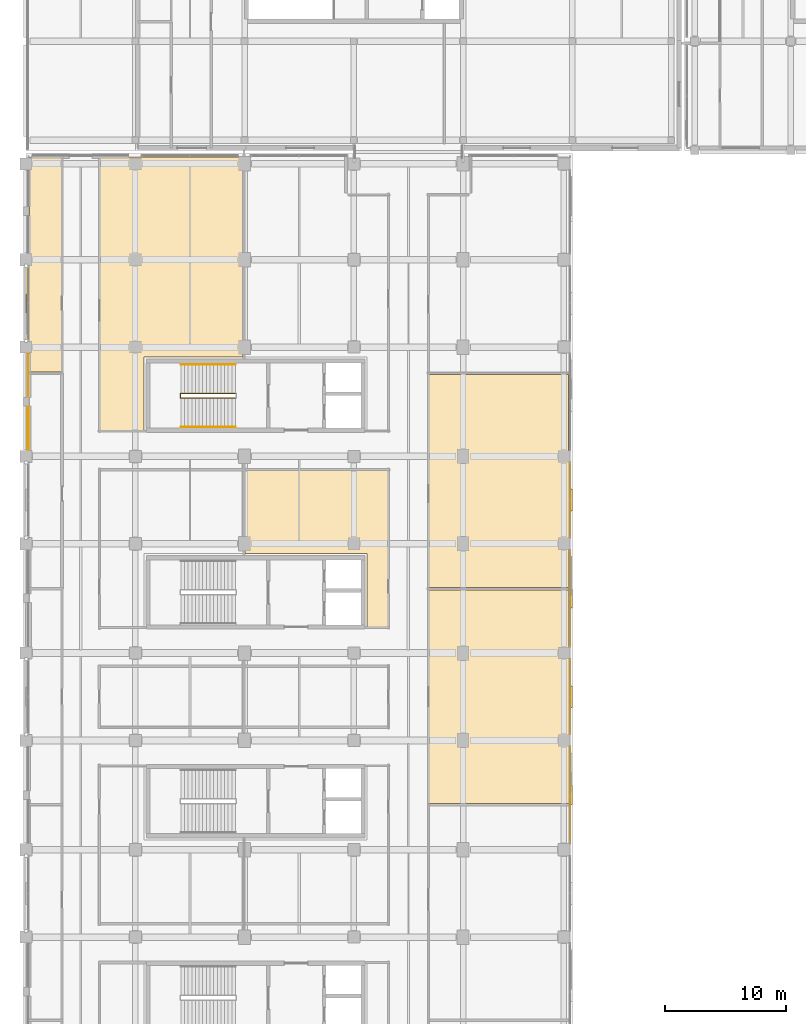
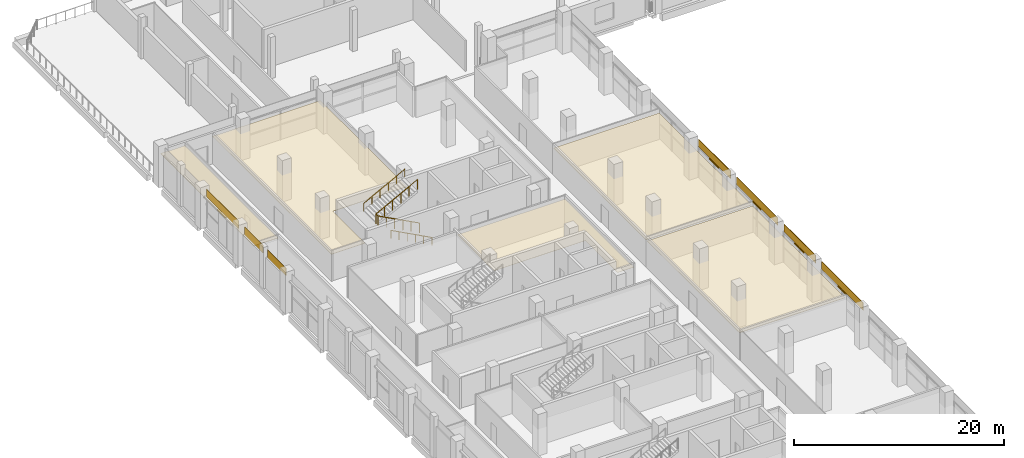
# One storey, part 96 of 111: 12 coverings, 5 shading devices, 3 railings.
"""IFC4 building model written with IfcOpenShell, lengths in metres."""

from ifc_helpers import new_model, si_unit, direction, frame, origin, origin_2d, place, context, subcontext, project, spatial, polyline, rectangle, circle, outline, extrude, material, layer, layer_set, type_object, element, save


model = new_model("IFC4")

# Units and contexts
model_context = context("Model", 3, precision=1e-05, world=origin(), true_north=direction((0.0, 1.0)))
body_context = subcontext(model_context, "Body", "Model", "MODEL_VIEW")
ifc_project = project(units=[si_unit("LENGTHUNIT", "METRE"), si_unit("AREAUNIT", "SQUARE_METRE"), si_unit("VOLUMEUNIT", "CUBIC_METRE"), si_unit("PLANEANGLEUNIT", "RADIAN"), si_unit("MASSUNIT", "GRAM", prefix="KILO"), si_unit("THERMODYNAMICTEMPERATUREUNIT", "KELVIN"), si_unit("POWERUNIT", "WATT")], contexts=[model_context])

# Site, building, storey
site_placement = place(None, origin())
site = spatial("IfcSite", under=ifc_project, at=site_placement, CompositionType="ELEMENT")
building_placement = place(site_placement, origin())
building = spatial("IfcBuilding", under=site, at=building_placement, Name="Sindhuravela Promenade Stadium", CompositionType="ELEMENT")
storey_placement = place(building_placement, frame((0.0, 0.0, 9.60009765625)))
storey = spatial("IfcBuildingStorey", under=building, at=storey_placement, Name="L02", CompositionType="ELEMENT", Elevation=9.60009765625)

# Coverings
ifc_material_1 = material(Name="Acoustic mineral-fibre ceiling tile", Category="gypsum")
ifc_layer_1 = layer(ifc_material_1, 0.02490234375)
ifc_layer_set_1 = layer_set([ifc_layer_1], Name="Acoustic mineral-fibre ceiling tile")
covering_type_1 = type_object("IfcCoveringType", Name="CV-CEIL-1", PredefinedType="CEILING", material=ifc_layer_set_1)
covering_1_placement = place(storey_placement, frame((0.0, 0.0, 3.0498046875)))
element("IfcCovering", 1, at=covering_1_placement, inside=storey, type_object=covering_type_1, Name="Acoustic ceiling Directors Reception Lounge 5", PredefinedType="CEILING", context=body_context, shape_type="SweptSolid", body=[
    extrude(outline(polyline([(29.860107421875, 99.72998046875), (29.862060546875, 99.72998046875), (29.864013671875, 99.7294921875), (29.86572265625, 99.72900390625), (29.86767578125, 99.728515625), (29.869384765625, 99.7275390625), (29.87109375, 99.7265625), (29.872802734375, 99.7255859375), (29.8740234375, 99.72412109375), (29.87548828125, 99.72265625), (29.876708984375, 99.72119140625), (29.877685546875, 99.719482421875), (29.87841796875, 99.7177734375), (29.879150390625, 99.7158203125), (29.879638671875, 99.7138671875), (29.8798828125, 99.7119140625), (29.8798828125, 99.7099609375), (29.8798828125, 86.68994140625), (29.8798828125, 86.68798828125), (29.879638671875, 86.68603515625), (29.879150390625, 86.68408203125), (29.87841796875, 86.682373046875), (29.877685546875, 86.6806640625), (29.876708984375, 86.678955078125), (29.87548828125, 86.67724609375), (29.8740234375, 86.67578125), (29.872802734375, 86.674560546875), (29.87109375, 86.67333984375), (29.869384765625, 86.67236328125), (29.86767578125, 86.67138671875), (29.86572265625, 86.6708984375), (29.864013671875, 86.67041015625), (29.862060546875, 86.670166015625), (29.860107421875, 86.669921875), (28.10009765625, 86.669921875), (28.097900390625, 86.670166015625), (28.09619140625, 86.67041015625), (28.09423828125, 86.6708984375), (28.09228515625, 86.67138671875), (28.090576171875, 86.67236328125), (28.0888671875, 86.67333984375), (28.08740234375, 86.674560546875), (28.0859375, 86.67578125), (28.08447265625, 86.67724609375), (28.08349609375, 86.678955078125), (28.08251953125, 86.6806640625), (28.08154296875, 86.682373046875), (28.080810546875, 86.68408203125), (28.080322265625, 86.68603515625), (28.080078125, 86.68798828125), (28.080078125, 86.68994140625), (28.080078125, 92.780029296875), (18.070068359375, 92.780029296875), (18.068115234375, 92.780029296875), (18.066162109375, 92.780517578125), (18.064208984375, 92.781005859375), (18.062255859375, 92.781494140625), (18.060546875, 92.782470703125), (18.058837890625, 92.783447265625), (18.057373046875, 92.784423828125), (18.055908203125, 92.785888671875), (18.054443359375, 92.787353515625), (18.053466796875, 92.788818359375), (18.052490234375, 92.79052734375), (18.051513671875, 92.792236328125), (18.05078125, 92.794189453125), (18.05029296875, 92.796142578125), (18.050048828125, 92.798095703125), (18.050048828125, 92.800048828125), (18.050048828125, 99.7099609375), (18.050048828125, 99.7119140625), (18.05029296875, 99.7138671875), (18.05078125, 99.7158203125), (18.051513671875, 99.7177734375), (18.052490234375, 99.719482421875), (18.053466796875, 99.72119140625), (18.054443359375, 99.72265625), (18.055908203125, 99.72412109375), (18.057373046875, 99.7255859375), (18.058837890625, 99.7265625), (18.060546875, 99.7275390625), (18.062255859375, 99.728515625), (18.064208984375, 99.72900390625), (18.066162109375, 99.7294921875), (18.068115234375, 99.72998046875), (18.070068359375, 99.72998046875), (29.860107421875, 99.72998046875)])), origin(), (0.0, 0.0, 1.0), 0.025146484375),
])
ifc_layer_2 = layer(ifc_material_1, 0.044921875)
ifc_layer_set_2 = layer_set([ifc_layer_2], Name="Acoustic mineral-fibre ceiling tile")
covering_type_2 = type_object("IfcCoveringType", Name="CV-CEIL-2", PredefinedType="CEILING", material=ifc_layer_set_2)
covering_2_placement = place(storey_placement, frame((0.0, 0.0, 3.0498046875)))
element("IfcCovering", 2, at=covering_2_placement, inside=storey, type_object=covering_type_2, Name="Acoustic ceiling Club Tier Fixed Seating Stands West", PredefinedType="CEILING", context=body_context, shape_type="SweptSolid", body=[
    extrude(outline(polyline([(9.719970703125, 108.97998046875), (9.719970703125, 102.889892578125), (9.719970703125, 102.887939453125), (9.719482421875, 102.885986328125), (9.718994140625, 102.88427734375), (9.718505859375, 102.88232421875), (9.717529296875, 102.880615234375), (9.716552734375, 102.87890625), (9.715576171875, 102.877197265625), (9.714111328125, 102.8759765625), (9.712646484375, 102.87451171875), (9.711181640625, 102.873291015625), (9.70947265625, 102.872314453125), (9.707763671875, 102.87158203125), (9.705810546875, 102.870849609375), (9.703857421875, 102.870361328125), (9.701904296875, 102.8701171875), (9.699951171875, 102.8701171875), (6.0400390625, 102.8701171875), (6.0380859375, 102.8701171875), (6.0361328125, 102.870361328125), (6.0341796875, 102.870849609375), (6.0322265625, 102.87158203125), (6.030517578125, 102.872314453125), (6.02880859375, 102.873291015625), (6.02734375, 102.87451171875), (6.02587890625, 102.8759765625), (6.0244140625, 102.877197265625), (6.0234375, 102.87890625), (6.0224609375, 102.880615234375), (6.021484375, 102.88232421875), (6.02099609375, 102.88427734375), (6.0205078125, 102.885986328125), (6.02001953125, 102.887939453125), (6.02001953125, 102.889892578125), (6.02001953125, 125.429931640625), (6.02001953125, 125.431884765625), (6.0205078125, 125.433837890625), (6.02099609375, 125.435791015625), (6.021484375, 125.437744140625), (6.0224609375, 125.439453125), (6.0234375, 125.441162109375), (6.0244140625, 125.442626953125), (6.02587890625, 125.444091796875), (6.02734375, 125.445556640625), (6.02880859375, 125.446533203125), (6.030517578125, 125.447509765625), (6.0322265625, 125.448486328125), (6.0341796875, 125.44921875), (6.0361328125, 125.44970703125), (6.0380859375, 125.449951171875), (6.0400390625, 125.449951171875), (17.830078125, 125.449951171875), (17.83203125, 125.449951171875), (17.833984375, 125.44970703125), (17.835693359375, 125.44921875), (17.837646484375, 125.448486328125), (17.83935546875, 125.447509765625), (17.841064453125, 125.446533203125), (17.8427734375, 125.445556640625), (17.843994140625, 125.444091796875), (17.845458984375, 125.442626953125), (17.8466796875, 125.441162109375), (17.84765625, 125.439453125), (17.848388671875, 125.437744140625), (17.84912109375, 125.435791015625), (17.849609375, 125.433837890625), (17.849853515625, 125.431884765625), (17.85009765625, 125.429931640625), (17.85009765625, 109.0), (17.849853515625, 108.998046875), (17.849609375, 108.99609375), (17.84912109375, 108.994140625), (17.848388671875, 108.9921875), (17.84765625, 108.990478515625), (17.8466796875, 108.989013671875), (17.845458984375, 108.9873046875), (17.843994140625, 108.98583984375), (17.8427734375, 108.984619140625), (17.841064453125, 108.9833984375), (17.83935546875, 108.982421875), (17.837646484375, 108.9814453125), (17.835693359375, 108.98095703125), (17.833984375, 108.98046875), (17.83203125, 108.97998046875), (17.830078125, 108.97998046875), (9.719970703125, 108.97998046875)])), origin(), (0.0, 0.0, 1.0), 0.045166015625),
])
covering_3_placement = place(storey_placement, frame((0.0, 0.0, 3.0498046875)))
element("IfcCovering", 3, at=covering_3_placement, inside=storey, type_object=covering_type_2, Name="Acoustic ceiling Members Dining Hall West", PredefinedType="CEILING", context=body_context, shape_type="SweptSolid", body=[
    extrude(outline(polyline([(44.699951171875, 90.006103515625), (44.699951171875, 90.00390625), (44.69970703125, 90.002197265625), (44.69921875, 90.000244140625), (44.698486328125, 89.998291015625), (44.697509765625, 89.99658203125), (44.696533203125, 89.994873046875), (44.695556640625, 89.993408203125), (44.694091796875, 89.991943359375), (44.692626953125, 89.990478515625), (44.691162109375, 89.989501953125), (44.689453125, 89.98828125), (44.687744140625, 89.987548828125), (44.685791015625, 89.98681640625), (44.683837890625, 89.986328125), (44.681884765625, 89.986083984375), (44.679931640625, 89.986083984375), (33.139892578125, 89.986083984375), (33.137939453125, 89.986083984375), (33.135986328125, 89.986328125), (33.13427734375, 89.98681640625), (33.13232421875, 89.987548828125), (33.130615234375, 89.98828125), (33.12890625, 89.989501953125), (33.127197265625, 89.990478515625), (33.1259765625, 89.991943359375), (33.12451171875, 89.993408203125), (33.123291015625, 89.994873046875), (33.122314453125, 89.99658203125), (33.12158203125, 89.998291015625), (33.120849609375, 90.000244140625), (33.120361328125, 90.002197265625), (33.1201171875, 90.00390625), (33.1201171875, 90.006103515625), (33.1201171875, 107.5380859375), (33.1201171875, 107.5400390625), (33.120361328125, 107.5419921875), (33.120849609375, 107.543701171875), (33.12158203125, 107.545654296875), (33.122314453125, 107.54736328125), (33.123291015625, 107.549072265625), (33.12451171875, 107.55078125), (33.1259765625, 107.552001953125), (33.127197265625, 107.553466796875), (33.12890625, 107.5546875), (33.130615234375, 107.5556640625), (33.13232421875, 107.556396484375), (33.13427734375, 107.55712890625), (33.135986328125, 107.5576171875), (33.137939453125, 107.557861328125), (33.139892578125, 107.55810546875), (44.679931640625, 107.55810546875), (44.681884765625, 107.557861328125), (44.683837890625, 107.5576171875), (44.685791015625, 107.55712890625), (44.687744140625, 107.556396484375), (44.689453125, 107.5556640625), (44.691162109375, 107.5546875), (44.692626953125, 107.553466796875), (44.694091796875, 107.552001953125), (44.695556640625, 107.55078125), (44.696533203125, 107.549072265625), (44.697509765625, 107.54736328125), (44.698486328125, 107.545654296875), (44.69921875, 107.543701171875), (44.69970703125, 107.5419921875), (44.699951171875, 107.5400390625), (44.699951171875, 107.5380859375), (44.699951171875, 90.006103515625)])), origin(), (0.0, 0.0, 1.0), 0.045166015625),
])
covering_4_placement = place(storey_placement, frame((0.0, 0.0, 3.0498046875)))
element("IfcCovering", 4, at=covering_4_placement, inside=storey, type_object=covering_type_2, Name="Acoustic ceiling Directors Reception Lounge", PredefinedType="CEILING", context=body_context, shape_type="SweptSolid", body=[
    extrude(outline(polyline([(44.699951171875, 72.23388671875), (44.699951171875, 72.23193359375), (44.69970703125, 72.22998046875), (44.69921875, 72.228271484375), (44.698486328125, 72.226318359375), (44.697509765625, 72.224609375), (44.696533203125, 72.222900390625), (44.695556640625, 72.22119140625), (44.694091796875, 72.219970703125), (44.692626953125, 72.218505859375), (44.691162109375, 72.21728515625), (44.689453125, 72.21630859375), (44.687744140625, 72.215576171875), (44.685791015625, 72.21484375), (44.683837890625, 72.21435546875), (44.681884765625, 72.214111328125), (44.679931640625, 72.214111328125), (33.139892578125, 72.214111328125), (33.137939453125, 72.214111328125), (33.135986328125, 72.21435546875), (33.13427734375, 72.21484375), (33.13232421875, 72.215576171875), (33.130615234375, 72.21630859375), (33.12890625, 72.21728515625), (33.127197265625, 72.218505859375), (33.1259765625, 72.219970703125), (33.12451171875, 72.22119140625), (33.123291015625, 72.222900390625), (33.122314453125, 72.224609375), (33.12158203125, 72.226318359375), (33.120849609375, 72.228271484375), (33.120361328125, 72.22998046875), (33.1201171875, 72.23193359375), (33.1201171875, 72.23388671875), (33.1201171875, 89.76611328125), (33.1201171875, 89.76806640625), (33.120361328125, 89.77001953125), (33.120849609375, 89.771728515625), (33.12158203125, 89.773681640625), (33.122314453125, 89.775390625), (33.123291015625, 89.777099609375), (33.12451171875, 89.77880859375), (33.1259765625, 89.780029296875), (33.127197265625, 89.781494140625), (33.12890625, 89.78271484375), (33.130615234375, 89.78369140625), (33.13232421875, 89.784423828125), (33.13427734375, 89.78515625), (33.135986328125, 89.78564453125), (33.137939453125, 89.785888671875), (33.139892578125, 89.785888671875), (44.679931640625, 89.785888671875), (44.681884765625, 89.785888671875), (44.683837890625, 89.78564453125), (44.685791015625, 89.78515625), (44.687744140625, 89.784423828125), (44.689453125, 89.78369140625), (44.691162109375, 89.78271484375), (44.692626953125, 89.781494140625), (44.694091796875, 89.780029296875), (44.695556640625, 89.77880859375), (44.696533203125, 89.777099609375), (44.697509765625, 89.775390625), (44.698486328125, 89.773681640625), (44.69921875, 89.771728515625), (44.69970703125, 89.77001953125), (44.699951171875, 89.76806640625), (44.699951171875, 89.76611328125), (44.699951171875, 72.23388671875)])), origin(), (0.0, 0.0, 1.0), 0.045166015625),
])
covering_5_placement = place(storey_placement, frame((0.0, 0.0, 3.0498046875)))
element("IfcCovering", 5, at=covering_5_placement, inside=storey, type_object=covering_type_2, Name="Acoustic ceiling Members Dining Hall West 10", PredefinedType="CEILING", context=body_context, shape_type="SweptSolid", body=[
    extrude(outline(polyline([(0.300048828125, 125.429931640625), (0.300048828125, 125.431884765625), (0.30029296875, 125.433837890625), (0.30078125, 125.435791015625), (0.301513671875, 125.437744140625), (0.302490234375, 125.439453125), (0.303466796875, 125.441162109375), (0.304443359375, 125.442626953125), (0.305908203125, 125.444091796875), (0.307373046875, 125.445556640625), (0.308837890625, 125.446533203125), (0.310546875, 125.447509765625), (0.312255859375, 125.448486328125), (0.314208984375, 125.44921875), (0.316162109375, 125.44970703125), (0.318115234375, 125.449951171875), (0.320068359375, 125.449951171875), (2.9599609375, 125.449951171875), (2.9619140625, 125.449951171875), (2.9638671875, 125.44970703125), (2.9658203125, 125.44921875), (2.9677734375, 125.448486328125), (2.969482421875, 125.447509765625), (2.97119140625, 125.446533203125), (2.97265625, 125.445556640625), (2.97412109375, 125.444091796875), (2.9755859375, 125.442626953125), (2.9765625, 125.441162109375), (2.9775390625, 125.439453125), (2.978515625, 125.437744140625), (2.97900390625, 125.435791015625), (2.9794921875, 125.433837890625), (2.97998046875, 125.431884765625), (2.97998046875, 125.429931640625), (2.97998046875, 107.778076171875), (2.97998046875, 107.77587890625), (2.9794921875, 107.774169921875), (2.97900390625, 107.772216796875), (2.978515625, 107.770263671875), (2.9775390625, 107.7685546875), (2.9765625, 107.766845703125), (2.9755859375, 107.765380859375), (2.97412109375, 107.763916015625), (2.97265625, 107.762451171875), (2.97119140625, 107.761474609375), (2.969482421875, 107.760498046875), (2.9677734375, 107.759521484375), (2.9658203125, 107.7587890625), (2.9638671875, 107.75830078125), (2.9619140625, 107.758056640625), (2.9599609375, 107.758056640625), (0.320068359375, 107.758056640625), (0.318115234375, 107.758056640625), (0.316162109375, 107.75830078125), (0.314208984375, 107.7587890625), (0.312255859375, 107.759521484375), (0.310546875, 107.760498046875), (0.308837890625, 107.761474609375), (0.307373046875, 107.762451171875), (0.305908203125, 107.763916015625), (0.304443359375, 107.765380859375), (0.303466796875, 107.766845703125), (0.302490234375, 107.7685546875), (0.301513671875, 107.770263671875), (0.30078125, 107.772216796875), (0.30029296875, 107.774169921875), (0.300048828125, 107.77587890625), (0.300048828125, 107.778076171875), (0.300048828125, 125.429931640625)])), origin(), (0.0, 0.0, 1.0), 0.045166015625),
])
ifc_material_2 = material(Name="Polychrome trencadis ceramic mosaic", Category="masonry")
ifc_layer_3 = layer(ifc_material_2, 0.034912109375)
ifc_layer_set_3 = layer_set([ifc_layer_3], Name="Polychrome trencadis ceramic mosaic")
covering_type_3 = type_object("IfcCoveringType", Name="CV-TRENC-1", PredefinedType="CLADDING", material=ifc_layer_set_3)
covering_6_placement = place(storey_placement, frame((0.179931640625, 107.47509765625, 3.5546875), z_axis=(0.0, 0.0, 1.0), x_axis=(0.0, 1.0, 0.0)))
element("IfcCovering", 6, at=covering_6_placement, inside=storey, type_object=covering_type_3, Name="Trencadis ceramic mosaic spandrel frieze WEST L02-40", PredefinedType="CLADDING", context=body_context, shape_type="SweptSolid", body=[
    extrude(rectangle(XDim=3.52001953125, YDim=0.034912109375, at=origin_2d()), origin(), (0.0, 0.0, 1.0), 0.905029296875),
])
for number, where, z_axis, x_axis, name in (
    (7, (44.820068359375, 89.10009765625, 3.5546875), (0.0, 0.0, 1.0), (0.0, -1.0, 0.0), "Trencadis ceramic mosaic spandrel frieze WEST L02-52"),
    (8, (44.820068359375, 72.89990234375, 3.5546875), (0.0, 0.0, 1.0), (0.0, -1.0, 0.0), "Trencadis ceramic mosaic spandrel frieze WEST L02-54"),
):
    element("IfcCovering", number, at=place(storey_placement, frame(where, z_axis=z_axis, x_axis=x_axis)), inside=storey, type_object=covering_type_3, Name=name, PredefinedType="CLADDING", context=body_context, shape_type="SweptSolid", body=[
        extrude(rectangle(XDim=7.8701171875, YDim=0.034912109375, at=origin_2d()), origin(), (0.0, 0.0, 1.0), 0.905029296875),
    ])
ifc_layer_4 = layer(ifc_material_2, 0.050048828125)
ifc_layer_set_4 = layer_set([ifc_layer_4], Name="Polychrome trencadis ceramic mosaic")
covering_type_4 = type_object("IfcCoveringType", Name="CV-TRENC-2", PredefinedType="CLADDING", material=ifc_layer_set_4)
covering_7_placement = place(storey_placement, frame((0.179931640625, 103.125, 3.5546875), z_axis=(0.0, 0.0, 1.0), x_axis=(0.0, 1.0, 0.0)))
element("IfcCovering", 9, at=covering_7_placement, inside=storey, type_object=covering_type_4, Name="Trencadis ceramic mosaic spandrel frieze WEST L02-39", PredefinedType="CLADDING", context=body_context, shape_type="SweptSolid", body=[
    extrude(rectangle(XDim=3.52001953125, YDim=0.050048828125, at=origin_2d()), origin(), (0.0, 0.0, 1.0), 0.905029296875),
])
for number, where, z_axis, x_axis, name in (
    (10, (0.179931640625, 113.39990234375, 3.5546875), (0.0, 0.0, 1.0), (0.0, 1.0, 0.0), "Trencadis ceramic mosaic spandrel frieze WEST L02-41"),
    (11, (44.820068359375, 97.199951171875, 3.5546875), (0.0, 0.0, 1.0), (0.0, -1.0, 0.0), "Trencadis ceramic mosaic spandrel frieze WEST L02-51"),
    (12, (44.820068359375, 81.0, 3.5546875), (0.0, 0.0, 1.0), (0.0, -1.0, 0.0), "Trencadis ceramic mosaic spandrel frieze WEST L02-53"),
):
    element("IfcCovering", number, at=place(storey_placement, frame(where, z_axis=z_axis, x_axis=x_axis)), inside=storey, type_object=covering_type_4, Name=name, PredefinedType="CLADDING", context=body_context, shape_type="SweptSolid", body=[
        extrude(rectangle(XDim=6.070068359375, YDim=0.050048828125, at=origin_2d()), origin(), (0.0, 0.0, 1.0), 0.905029296875),
    ])

# Railings
ifc_material_3 = material(Name="Architectural wrought steel E350", Category="steel")
railing_type_1 = type_object("IfcRailingType", Name="RL-GRD-1150", PredefinedType="GUARDRAIL", material=ifc_material_3)
railing_1_placement = place(storey_placement, frame((17.25, 105.610107421875, 0.0)))
element("IfcRailing", 13, at=railing_1_placement, inside=storey, type_object=railing_type_1, Name="Stair ST04 inner well guard (L02)", PredefinedType="GUARDRAIL", context=body_context, shape_type="SweptSolid", body=[
    extrude(circle(Radius=0.02392578125, at=origin_2d()), frame((0.0, 0.0, 1.1259765625), z_axis=(-0.8836546633431795, 0.0, 0.46813933390802775), x_axis=(0.0, -1.0, 0.0)), (0.0, 0.0, 1.0), 5.12646484375),
    extrude(circle(Radius=0.02392578125, at=origin_2d()), frame((-4.530029296875, 0.0, 3.52587890625), z_axis=(0.0, 1.0, 0.0), x_axis=(-1.0, 0.0, 0.0)), (0.0, 0.0, 1.0), 0.3798828125),
    extrude(circle(Radius=0.02392578125, at=origin_2d()), frame((-4.530029296875, 0.3798828125, 3.52587890625), z_axis=(0.8836546633431795, 0.0, 0.46813933390802775), x_axis=(0.0, 1.0, 0.0)), (0.0, 0.0, 1.0), 5.12646484375),
    extrude(circle(Radius=0.02099609375, at=origin_2d()), origin(), (0.0, 0.0, 1.0), 1.101806640625),
    extrude(circle(Radius=0.02099609375, at=origin_2d()), frame((-0.906005859375, 0.0, 0.47998046875)), (0.0, 0.0, 1.0), 1.101806640625),
    extrude(circle(Radius=0.02099609375, at=origin_2d()), frame((-1.81201171875, 0.0, 0.9599609375)), (0.0, 0.0, 1.0), 1.101806640625),
    extrude(circle(Radius=0.02099609375, at=origin_2d()), frame((-2.718017578125, 0.0, 1.43994140625)), (0.0, 0.0, 1.0), 1.101806640625),
    extrude(circle(Radius=0.02099609375, at=origin_2d()), frame((-3.6240234375, 0.0, 1.919921875)), (0.0, 0.0, 1.0), 1.101806640625),
    extrude(circle(Radius=0.02099609375, at=origin_2d()), frame((-4.530029296875, 0.0, 2.39990234375)), (0.0, 0.0, 1.0), 1.101806640625),
    extrude(circle(Radius=0.02099609375, at=origin_2d()), frame((-4.530029296875, 0.3798828125, 2.39990234375)), (0.0, 0.0, 1.0), 1.101806640625),
    extrude(circle(Radius=0.02099609375, at=origin_2d()), frame((-3.6240234375, 0.3798828125, 2.8798828125)), (0.0, 0.0, 1.0), 1.101806640625),
    extrude(circle(Radius=0.02099609375, at=origin_2d()), frame((-2.718017578125, 0.3798828125, 3.35986328125)), (0.0, 0.0, 1.0), 1.101806640625),
    extrude(circle(Radius=0.02099609375, at=origin_2d()), frame((-1.81201171875, 0.3798828125, 3.83984375)), (0.0, 0.0, 1.0), 1.101806640625),
    extrude(circle(Radius=0.02099609375, at=origin_2d()), frame((-0.906005859375, 0.3798828125, 4.31982421875)), (0.0, 0.0, 1.0), 1.101806640625),
    extrude(circle(Radius=0.02099609375, at=origin_2d()), frame((0.0, 0.3798828125, 4.7998046875)), (0.0, 0.0, 1.0), 1.101806640625),
])
railing_type_2 = type_object("IfcRailingType", Name="RL-HND-920", PredefinedType="HANDRAIL", material=ifc_material_3)
railing_2_placement = place(storey_placement, frame((17.25, 103.219970703125, 0.0)))
element("IfcRailing", 14, at=railing_2_placement, inside=storey, type_object=railing_type_2, Name="Stair ST04 lower wall handrail (L02)", PredefinedType="HANDRAIL", context=body_context, shape_type="SweptSolid", body=[
    extrude(circle(Radius=0.02392578125, at=origin_2d()), frame((0.0, 0.0, 0.89599609375), z_axis=(-0.8823608919668723, 0.0, 0.4705733272588083), x_axis=(0.0, -1.0, 0.0)), (0.0, 0.0, 1.0), 5.099853515625),
    extrude(circle(Radius=0.02099609375, at=origin_2d()), origin(), (0.0, 0.0, 1.0), 0.871826171875),
    extrude(circle(Radius=0.02099609375, at=origin_2d()), frame((-0.89990234375, 0.0, 0.47998046875)), (0.0, 0.0, 1.0), 0.871826171875),
    extrude(circle(Radius=0.02099609375, at=origin_2d()), frame((-1.800048828125, 0.0, 0.9599609375)), (0.0, 0.0, 1.0), 0.871826171875),
    extrude(circle(Radius=0.02099609375, at=origin_2d()), frame((-2.699951171875, 0.0, 1.43994140625)), (0.0, 0.0, 1.0), 0.871826171875),
    extrude(circle(Radius=0.02099609375, at=origin_2d()), frame((-3.60009765625, 0.0, 1.919921875)), (0.0, 0.0, 1.0), 0.871826171875),
    extrude(circle(Radius=0.02099609375, at=origin_2d()), frame((-4.5, 0.0, 2.39990234375)), (0.0, 0.0, 1.0), 0.871826171875),
])
railing_3_placement = place(storey_placement, frame((12.75, 108.3798828125, 2.39990234375)))
element("IfcRailing", 15, at=railing_3_placement, inside=storey, type_object=railing_type_2, Name="Stair ST04 upper wall handrail (L02)", PredefinedType="HANDRAIL", context=body_context, shape_type="SweptSolid", body=[
    extrude(circle(Radius=0.02392578125, at=origin_2d()), frame((0.0, 0.0, 0.89599609375), z_axis=(0.8823608919668723, 0.0, 0.4705733272588083), x_axis=(0.0, 1.0, 0.0)), (0.0, 0.0, 1.0), 5.099853515625),
    extrude(circle(Radius=0.02099609375, at=origin_2d()), origin(), (0.0, 0.0, 1.0), 0.871826171875),
    extrude(circle(Radius=0.02099609375, at=origin_2d()), frame((0.89990234375, 0.0, 0.47998046875)), (0.0, 0.0, 1.0), 0.871826171875),
    extrude(circle(Radius=0.02099609375, at=origin_2d()), frame((1.800048828125, 0.0, 0.9599609375)), (0.0, 0.0, 1.0), 0.871826171875),
    extrude(circle(Radius=0.02099609375, at=origin_2d()), frame((2.699951171875, 0.0, 1.43994140625)), (0.0, 0.0, 1.0), 0.871826171875),
    extrude(circle(Radius=0.02099609375, at=origin_2d()), frame((3.60009765625, 0.0, 1.919921875)), (0.0, 0.0, 1.0), 0.871826171875),
    extrude(circle(Radius=0.02099609375, at=origin_2d()), frame((4.5, 0.0, 2.39990234375)), (0.0, 0.0, 1.0), 0.871826171875),
])

# Shading devices
ifc_material_4 = material(Name="Perforated terracotta celosia brick (15 MPa)", Category="masonry")
shading_device_type_1 = type_object("IfcShadingDeviceType", Name="SH-JAL-1", PredefinedType="JALOUSIE", material=ifc_material_4)
for number, where, z_axis, x_axis, name in (
    (16, (0.139892578125, 113.39990234375, 3.4599609375), (0.0, 0.0, 1.0), (0.0, 1.0, 0.0), "Terracotta solar shading louvre WEST L02-10"),
    (17, (44.860107421875, 89.10009765625, 3.4599609375), (0.0, 0.0, 1.0), (0.0, -1.0, 0.0), "Terracotta solar shading louvre WEST L02-18"),
    (18, (44.860107421875, 72.89990234375, 3.4599609375), (0.0, 0.0, 1.0), (0.0, -1.0, 0.0), "Terracotta solar shading louvre WEST L02-20"),
):
    element("IfcShadingDevice", number, at=place(storey_placement, frame(where, z_axis=z_axis, x_axis=x_axis)), inside=storey, type_object=shading_device_type_1, Name=name, PredefinedType="JALOUSIE", context=body_context, shape_type="SweptSolid", body=[
        extrude(rectangle(XDim=1.580078125, YDim=0.280029296875, at=origin_2d()), origin(), (0.0, 0.0, 1.0), 0.1201171875),
    ])
shading_device_type_2 = type_object("IfcShadingDeviceType", Name="SH-JAL-2", PredefinedType="JALOUSIE", material=ifc_material_4)
for number, where, z_axis, x_axis, name in (
    (19, (44.860107421875, 97.199951171875, 3.4501953125), (0.0, 0.0, 1.0), (0.0, -1.0, 0.0), "Terracotta solar shading louvre WEST L02-17"),
    (20, (44.860107421875, 81.0, 3.4501953125), (0.0, 0.0, 1.0), (0.0, -1.0, 0.0), "Terracotta solar shading louvre WEST L02-19"),
):
    element("IfcShadingDevice", number, at=place(storey_placement, frame(where, z_axis=z_axis, x_axis=x_axis)), inside=storey, type_object=shading_device_type_2, Name=name, PredefinedType="JALOUSIE", context=body_context, shape_type="SweptSolid", body=[
        extrude(rectangle(XDim=1.800048828125, YDim=0.320068359375, at=origin_2d()), origin(), (0.0, 0.0, 1.0), 0.139892578125),
    ])

save(model, "model.ifc")
